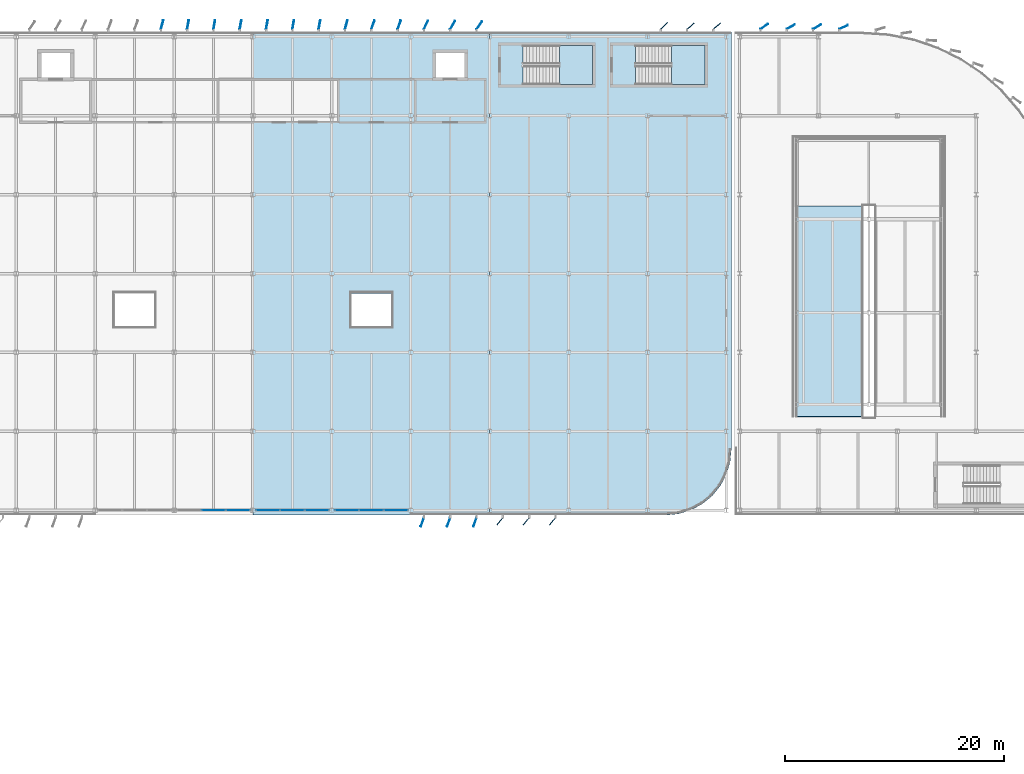
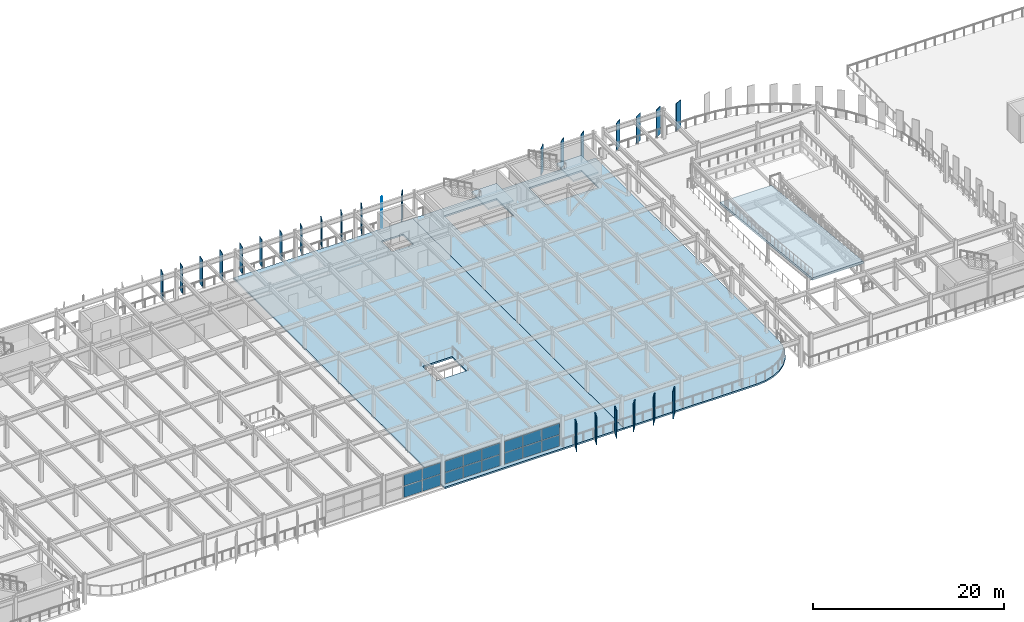
# One storey, part 29 of 52: 42 plates, 5 slabs, 5 elements without a shape of their own.
"""IFC4 building model written with IfcOpenShell, lengths in metres."""

from ifc_helpers import new_model, si_unit, direction, frame, origin, origin_2d, place, context, subcontext, project, spatial, polyline, rectangle, outline, extrude, material, layer, layer_set, type_object, element, aggregate, save


model = new_model("IFC4")

# Units and contexts
model_context = context("Model", 3, precision=1e-05, world=origin(), true_north=direction((0.0, 1.0)))
body_context = subcontext(model_context, "Body", "Model", "MODEL_VIEW")
ifc_project = project(units=[si_unit("LENGTHUNIT", "METRE"), si_unit("AREAUNIT", "SQUARE_METRE"), si_unit("VOLUMEUNIT", "CUBIC_METRE"), si_unit("PLANEANGLEUNIT", "RADIAN"), si_unit("MASSUNIT", "GRAM", prefix="KILO")], contexts=[model_context])

# Site, building, storey
site_placement = place(None, origin())
site = spatial("IfcSite", under=ifc_project, at=site_placement, CompositionType="ELEMENT")
building_placement = place(site_placement, origin())
building = spatial("IfcBuilding", under=site, at=building_placement, Name="Vaelcorin Mobility Hub", CompositionType="ELEMENT")
storey_placement = place(building_placement, frame((0.0, 0.0, 13.199951171875)))
storey = spatial("IfcBuildingStorey", under=building, at=storey_placement, Name="L03", CompositionType="ELEMENT", Elevation=13.199951171875)

# Curtain wall, plates
ifc_material_1 = material(Name="Anodised aluminium 6063-T6", Category="aluminium")
curtain_wall_type = type_object("IfcCurtainWallType", Name="CW-MOB-A", PredefinedType="NOTDEFINED", material=ifc_material_1)
curtain_wall_1_placement = place(storey_placement, origin())
curtain_wall_1 = element("IfcCurtainWall", 1, at=curtain_wall_1_placement, inside=storey, type_object=curtain_wall_type, Name="L03 Curtain Wall CW-V4-L03-S-06", PredefinedType="NOTDEFINED")
ifc_material_2 = material(Name="Low-E solar-control insulated glazing", Category="glass")
ifc_layer_1 = layer(ifc_material_2, 0.028076171875)
ifc_layer_set_1 = layer_set([ifc_layer_1], Name="Low-E solar-control insulated glazing")
plate_type_1 = type_object("IfcPlateType", Name="CW-PAN-GLZ28", PredefinedType="CURTAIN_PANEL", material=ifc_layer_set_1)
plate_1_placement = place(storey_placement, frame((77.83837890625, 76.800048828125, 0.06005859375), z_axis=(0.0, 0.0, 1.0), x_axis=(-1.0, 0.0, 0.0)))
plate_1 = element("IfcPlate", 2, at=plate_1_placement, type_object=plate_type_1, Name="CW7 panel 1.1", PredefinedType="CURTAIN_PANEL", context=body_context, shape_type="SweptSolid", body=[
    extrude(rectangle(XDim=2.163330078125, YDim=0.028076171875, at=origin_2d()), origin(), (0.0, 0.0, 1.0), 1.426025390625),
])
plate_2_placement = place(storey_placement, frame((77.83837890625, 76.800048828125, 1.5458984375), z_axis=(0.0, 0.0, 1.0), x_axis=(-1.0, 0.0, 0.0)))
plate_2 = element("IfcPlate", 3, at=plate_2_placement, type_object=plate_type_1, Name="CW7 panel 1.2", PredefinedType="CURTAIN_PANEL", context=body_context, shape_type="SweptSolid", body=[
    extrude(rectangle(XDim=2.163330078125, YDim=0.028076171875, at=origin_2d()), origin(), (0.0, 0.0, 1.0), 1.427001953125),
])
plate_3_placement = place(storey_placement, frame((75.60009765625, 76.800048828125, 0.06005859375), z_axis=(0.0, 0.0, 1.0), x_axis=(-1.0, 0.0, 0.0)))
plate_3 = element("IfcPlate", 4, at=plate_3_placement, type_object=plate_type_1, Name="CW7 panel 2.1", PredefinedType="CURTAIN_PANEL", context=body_context, shape_type="SweptSolid", body=[
    extrude(rectangle(XDim=2.193359375, YDim=0.028076171875, at=origin_2d()), origin(), (0.0, 0.0, 1.0), 1.426025390625),
])
plate_4_placement = place(storey_placement, frame((75.60009765625, 76.800048828125, 1.5458984375), z_axis=(0.0, 0.0, 1.0), x_axis=(-1.0, 0.0, 0.0)))
plate_4 = element("IfcPlate", 5, at=plate_4_placement, type_object=plate_type_1, Name="CW7 panel 2.2", PredefinedType="CURTAIN_PANEL", context=body_context, shape_type="SweptSolid", body=[
    extrude(rectangle(XDim=2.193359375, YDim=0.028076171875, at=origin_2d()), origin(), (0.0, 0.0, 1.0), 1.427001953125),
])
aggregate(curtain_wall_1, [plate_1, plate_2, plate_3, plate_4])

curtain_wall_2_placement = place(storey_placement, origin())
curtain_wall_2 = element("IfcCurtainWall", 6, at=curtain_wall_2_placement, inside=storey, type_object=curtain_wall_type, Name="L03 Curtain Wall CW-V4-L03-S-07", PredefinedType="NOTDEFINED")
plate_5_placement = place(storey_placement, frame((85.038330078125, 76.800048828125, 0.06005859375), z_axis=(0.0, 0.0, 1.0), x_axis=(-1.0, 0.0, 0.0)))
plate_5 = element("IfcPlate", 7, at=plate_5_placement, type_object=plate_type_1, Name="CW7 panel 1.1", PredefinedType="CURTAIN_PANEL", context=body_context, shape_type="SweptSolid", body=[
    extrude(rectangle(XDim=2.163330078125, YDim=0.028076171875, at=origin_2d()), origin(), (0.0, 0.0, 1.0), 1.426025390625),
])
plate_6_placement = place(storey_placement, frame((85.038330078125, 76.800048828125, 1.5458984375), z_axis=(0.0, 0.0, 1.0), x_axis=(-1.0, 0.0, 0.0)))
plate_6 = element("IfcPlate", 8, at=plate_6_placement, type_object=plate_type_1, Name="CW7 panel 1.2", PredefinedType="CURTAIN_PANEL", context=body_context, shape_type="SweptSolid", body=[
    extrude(rectangle(XDim=2.163330078125, YDim=0.028076171875, at=origin_2d()), origin(), (0.0, 0.0, 1.0), 1.427001953125),
])
plate_7_placement = place(storey_placement, frame((82.800048828125, 76.800048828125, 0.06005859375), z_axis=(0.0, 0.0, 1.0), x_axis=(-1.0, 0.0, 0.0)))
plate_7 = element("IfcPlate", 9, at=plate_7_placement, type_object=plate_type_1, Name="CW7 panel 2.1", PredefinedType="CURTAIN_PANEL", context=body_context, shape_type="SweptSolid", body=[
    extrude(rectangle(XDim=2.193359375, YDim=0.028076171875, at=origin_2d()), origin(), (0.0, 0.0, 1.0), 1.426025390625),
])
plate_8_placement = place(storey_placement, frame((82.800048828125, 76.800048828125, 1.5458984375), z_axis=(0.0, 0.0, 1.0), x_axis=(-1.0, 0.0, 0.0)))
plate_8 = element("IfcPlate", 10, at=plate_8_placement, type_object=plate_type_1, Name="CW7 panel 2.2", PredefinedType="CURTAIN_PANEL", context=body_context, shape_type="SweptSolid", body=[
    extrude(rectangle(XDim=2.193359375, YDim=0.028076171875, at=origin_2d()), origin(), (0.0, 0.0, 1.0), 1.427001953125),
])
plate_9_placement = place(storey_placement, frame((80.561767578125, 76.800048828125, 0.06005859375), z_axis=(0.0, 0.0, 1.0), x_axis=(-1.0, 0.0, 0.0)))
plate_9 = element("IfcPlate", 11, at=plate_9_placement, type_object=plate_type_1, Name="CW7 panel 3.1", PredefinedType="CURTAIN_PANEL", context=body_context, shape_type="SweptSolid", body=[
    extrude(rectangle(XDim=2.163330078125, YDim=0.028076171875, at=origin_2d()), origin(), (0.0, 0.0, 1.0), 1.426025390625),
])
plate_10_placement = place(storey_placement, frame((80.561767578125, 76.800048828125, 1.5458984375), z_axis=(0.0, 0.0, 1.0), x_axis=(-1.0, 0.0, 0.0)))
plate_10 = element("IfcPlate", 12, at=plate_10_placement, type_object=plate_type_1, Name="CW7 panel 3.2", PredefinedType="CURTAIN_PANEL", context=body_context, shape_type="SweptSolid", body=[
    extrude(rectangle(XDim=2.163330078125, YDim=0.028076171875, at=origin_2d()), origin(), (0.0, 0.0, 1.0), 1.427001953125),
])
aggregate(curtain_wall_2, [plate_5, plate_6, plate_7, plate_8, plate_9, plate_10])

curtain_wall_3_placement = place(storey_placement, origin())
curtain_wall_3 = element("IfcCurtainWall", 13, at=curtain_wall_3_placement, inside=storey, type_object=curtain_wall_type, Name="L03 Curtain Wall CW-V4-L03-S-08", PredefinedType="NOTDEFINED")
plate_11_placement = place(storey_placement, frame((92.23828125, 76.800048828125, 0.06005859375), z_axis=(0.0, 0.0, 1.0), x_axis=(-1.0, 0.0, 0.0)))
plate_11 = element("IfcPlate", 14, at=plate_11_placement, type_object=plate_type_1, Name="CW7 panel 1.1", PredefinedType="CURTAIN_PANEL", context=body_context, shape_type="SweptSolid", body=[
    extrude(rectangle(XDim=2.163330078125, YDim=0.028076171875, at=origin_2d()), origin(), (0.0, 0.0, 1.0), 1.426025390625),
])
plate_12_placement = place(storey_placement, frame((92.23828125, 76.800048828125, 1.5458984375), z_axis=(0.0, 0.0, 1.0), x_axis=(-1.0, 0.0, 0.0)))
plate_12 = element("IfcPlate", 15, at=plate_12_placement, type_object=plate_type_1, Name="CW7 panel 1.2", PredefinedType="CURTAIN_PANEL", context=body_context, shape_type="SweptSolid", body=[
    extrude(rectangle(XDim=2.163330078125, YDim=0.028076171875, at=origin_2d()), origin(), (0.0, 0.0, 1.0), 1.427001953125),
])
plate_13_placement = place(storey_placement, frame((90.0, 76.800048828125, 0.06005859375), z_axis=(0.0, 0.0, 1.0), x_axis=(-1.0, 0.0, 0.0)))
plate_13 = element("IfcPlate", 16, at=plate_13_placement, type_object=plate_type_1, Name="CW7 panel 2.1", PredefinedType="CURTAIN_PANEL", context=body_context, shape_type="SweptSolid", body=[
    extrude(rectangle(XDim=2.193359375, YDim=0.028076171875, at=origin_2d()), origin(), (0.0, 0.0, 1.0), 1.426025390625),
])
plate_14_placement = place(storey_placement, frame((90.0, 76.800048828125, 1.5458984375), z_axis=(0.0, 0.0, 1.0), x_axis=(-1.0, 0.0, 0.0)))
plate_14 = element("IfcPlate", 17, at=plate_14_placement, type_object=plate_type_1, Name="CW7 panel 2.2", PredefinedType="CURTAIN_PANEL", context=body_context, shape_type="SweptSolid", body=[
    extrude(rectangle(XDim=2.193359375, YDim=0.028076171875, at=origin_2d()), origin(), (0.0, 0.0, 1.0), 1.427001953125),
])
plate_15_placement = place(storey_placement, frame((87.76171875, 76.800048828125, 0.06005859375), z_axis=(0.0, 0.0, 1.0), x_axis=(-1.0, 0.0, 0.0)))
plate_15 = element("IfcPlate", 18, at=plate_15_placement, type_object=plate_type_1, Name="CW7 panel 3.1", PredefinedType="CURTAIN_PANEL", context=body_context, shape_type="SweptSolid", body=[
    extrude(rectangle(XDim=2.163330078125, YDim=0.028076171875, at=origin_2d()), origin(), (0.0, 0.0, 1.0), 1.426025390625),
])
plate_16_placement = place(storey_placement, frame((87.76171875, 76.800048828125, 1.5458984375), z_axis=(0.0, 0.0, 1.0), x_axis=(-1.0, 0.0, 0.0)))
plate_16 = element("IfcPlate", 19, at=plate_16_placement, type_object=plate_type_1, Name="CW7 panel 3.2", PredefinedType="CURTAIN_PANEL", context=body_context, shape_type="SweptSolid", body=[
    extrude(rectangle(XDim=2.163330078125, YDim=0.028076171875, at=origin_2d()), origin(), (0.0, 0.0, 1.0), 1.427001953125),
])
aggregate(curtain_wall_3, [plate_11, plate_12, plate_13, plate_14, plate_15, plate_16])

# Plates
ifc_material_3 = material(Name="Perforated terracotta-bronze aluminium aerofoil", Category="masonry")
ifc_layer_2 = layer(ifc_material_3, 0.06005859375)
ifc_layer_set_2 = layer_set([ifc_layer_2], Name="Perforated terracotta-bronze aluminium aerofoil")
plate_type_2 = type_object("IfcPlateType", Name="PL-FIN-AF1", PredefinedType="SHEET", material=ifc_layer_set_2)
for number, where, z_axis, x_axis, name in (
    (20, (99.455078125, 75.7109375, -0.159912109375), (0.0, 0.0, 1.0), (-0.342020143326, -0.939692620786, 0.0), "Rotating Terracotta-Bronze Aerofoil Fin FIN-V4-L03-S-09-AF-01"),
    (21, (97.054931640625, 75.7109375, -0.159912109375), (0.0, 0.0, 1.0), (-0.342020143326, -0.939692620786, 0.0), "Rotating Terracotta-Bronze Aerofoil Fin FIN-V4-L03-S-09-AF-02"),
    (22, (94.655029296875, 75.7109375, -0.159912109375), (0.0, 0.0, 1.0), (-0.342020143326, -0.939692620786, 0.0), "Rotating Terracotta-Bronze Aerofoil Fin FIN-V4-L03-S-09-AF-03"),
    (23, (106.527099609375, 75.783935546875, -0.159912109375), (0.0, 0.0, 1.0), (-0.642787609687, -0.766044443119, 0.0), "Rotating Terracotta-Bronze Aerofoil Fin FIN-V4-L03-S-10-AF-01"),
    (24, (104.126953125, 75.783935546875, -0.159912109375), (0.0, 0.0, 1.0), (-0.642787609687, -0.766044443119, 0.0), "Rotating Terracotta-Bronze Aerofoil Fin FIN-V4-L03-S-10-AF-02"),
    (25, (101.72705078125, 75.783935546875, -0.159912109375), (0.0, 0.0, 1.0), (-0.642787609687, -0.766044443119, 0.0), "Rotating Terracotta-Bronze Aerofoil Fin FIN-V4-L03-S-10-AF-03"),
):
    element("IfcPlate", number, at=place(storey_placement, frame(where, z_axis=z_axis, x_axis=x_axis)), inside=storey, type_object=plate_type_2, Name=name, PredefinedType="SHEET", context=body_context, shape_type="SweptSolid", body=[
        extrude(rectangle(XDim=0.85009765625, YDim=0.06005859375, at=origin_2d()), origin(), (0.0, 0.0, 1.0), 3.5),
    ])
ifc_layer_3 = layer(ifc_material_3, 0.06494140625)
ifc_layer_set_3 = layer_set([ifc_layer_3], Name="Perforated terracotta-bronze aluminium aerofoil")
plate_type_3 = type_object("IfcPlateType", Name="PL-FIN-AF2", PredefinedType="SHEET", material=ifc_layer_set_3)
for number, where, z_axis, x_axis, name in (
    (26, (70.909912109375, 121.10107421875, -0.159912109375), (0.0, 0.0, 1.0), (0.258819045103, 0.965925826289, 0.0), "Rotating Terracotta-Bronze Aerofoil Fin FIN-V4-L03-N-05-AF-03"),
    (27, (73.27392578125, 121.10888671875, -0.159912109375), (0.0, 0.0, 1.0), (0.173648177667, 0.984807753012, 0.0), "Rotating Terracotta-Bronze Aerofoil Fin FIN-V4-L03-N-06-AF-01"),
    (28, (75.674072265625, 121.10888671875, -0.159912109375), (0.0, 0.0, 1.0), (0.173648177667, 0.984807753012, 0.0), "Rotating Terracotta-Bronze Aerofoil Fin FIN-V4-L03-N-06-AF-02"),
    (29, (78.073974609375, 121.10888671875, -0.159912109375), (0.0, 0.0, 1.0), (0.173648177667, 0.984807753012, 0.0), "Rotating Terracotta-Bronze Aerofoil Fin FIN-V4-L03-N-06-AF-03"),
    (30, (80.47412109375, 121.10888671875, -0.159912109375), (0.0, 0.0, 1.0), (0.173648177667, 0.984807753012, 0.0), "Rotating Terracotta-Bronze Aerofoil Fin FIN-V4-L03-N-07-AF-01"),
    (31, (82.8740234375, 121.10888671875, -0.159912109375), (0.0, 0.0, 1.0), (0.173648177667, 0.984807753012, 0.0), "Rotating Terracotta-Bronze Aerofoil Fin FIN-V4-L03-N-07-AF-02"),
    (32, (85.27392578125, 121.10888671875, -0.159912109375), (0.0, 0.0, 1.0), (0.173648177667, 0.984807753012, 0.0), "Rotating Terracotta-Bronze Aerofoil Fin FIN-V4-L03-N-07-AF-03"),
    (33, (87.7099609375, 121.10107421875, -0.159912109375), (0.0, 0.0, 1.0), (0.258819045103, 0.965925826289, 0.0), "Rotating Terracotta-Bronze Aerofoil Fin FIN-V4-L03-N-08-AF-01"),
    (34, (90.14501953125, 121.089111328125, -0.159912109375), (0.0, 0.0, 1.0), (0.342020143326, 0.939692620786, 0.0), "Rotating Terracotta-Bronze Aerofoil Fin FIN-V4-L03-N-08-AF-02"),
    (35, (92.544921875, 121.089111328125, -0.159912109375), (0.0, 0.0, 1.0), (0.342020143326, 0.939692620786, 0.0), "Rotating Terracotta-Bronze Aerofoil Fin FIN-V4-L03-N-08-AF-03"),
    (36, (94.97998046875, 121.074951171875, -0.159912109375), (0.0, 0.0, 1.0), (0.422618261741, 0.906307787037, 0.0), "Rotating Terracotta-Bronze Aerofoil Fin FIN-V4-L03-N-09-AF-01"),
    (37, (97.412109375, 121.05810546875, -0.159912109375), (0.0, 0.0, 1.0), (0.5, 0.866025403784, 0.0), "Rotating Terracotta-Bronze Aerofoil Fin FIN-V4-L03-N-09-AF-02"),
    (38, (99.843994140625, 121.0380859375, -0.159912109375), (0.0, 0.0, 1.0), (0.573576436351, 0.819152044289, 0.0), "Rotating Terracotta-Bronze Aerofoil Fin FIN-V4-L03-N-09-AF-03"),
    (39, (116.700927734375, 120.990966796875, -0.159912109375), (0.0, 0.0, 1.0), (0.707106781187, 0.707106781187, 0.0), "Rotating Terracotta-Bronze Aerofoil Fin FIN-V4-L03-N-12-AF-01"),
    (40, (119.1259765625, 120.962890625, -0.159912109375), (0.0, 0.0, 1.0), (0.766044443119, 0.642787609687, 0.0), "Rotating Terracotta-Bronze Aerofoil Fin FIN-V4-L03-N-12-AF-02"),
    (41, (121.52587890625, 120.962890625, -0.159912109375), (0.0, 0.0, 1.0), (0.766044443119, 0.642787609687, 0.0), "Rotating Terracotta-Bronze Aerofoil Fin FIN-V4-L03-N-12-AF-03"),
):
    element("IfcPlate", number, at=place(storey_placement, frame(where, z_axis=z_axis, x_axis=x_axis)), inside=storey, type_object=plate_type_3, Name=name, PredefinedType="SHEET", context=body_context, shape_type="SweptSolid", body=[
        extrude(rectangle(XDim=0.85009765625, YDim=0.06494140625, at=origin_2d()), origin(), (0.0, 0.0, 1.0), 3.5),
    ])
ifc_layer_4 = layer(ifc_material_3, 0.070068359375)
ifc_layer_set_4 = layer_set([ifc_layer_4], Name="Perforated terracotta-bronze aluminium aerofoil")
plate_type_4 = type_object("IfcPlateType", Name="PL-FIN-AF3", PredefinedType="SHEET", material=ifc_layer_set_4)
for number, where, z_axis, x_axis, name in (
    (42, (125.847900390625, 120.93408203125, -0.159912109375), (0.0, 0.0, 1.0), (0.819152044289, 0.573576436351, 0.0), "Rotating Terracotta-Bronze Aerofoil Fin FIN-V2E-L03-N-AF-01"),
    (43, (128.26806640625, 120.902099609375, -0.159912109375), (0.0, 0.0, 1.0), (0.866025403784, 0.5, 0.0), "Rotating Terracotta-Bronze Aerofoil Fin FIN-V2E-L03-N-AF-02"),
    (44, (130.66796875, 120.902099609375, -0.159912109375), (0.0, 0.0, 1.0), (0.866025403784, 0.5, 0.0), "Rotating Terracotta-Bronze Aerofoil Fin FIN-V2E-L03-N-AF-03"),
    (45, (133.0849609375, 120.8701171875, -0.159912109375), (0.0, 0.0, 1.0), (0.906307787037, 0.422618261741, 0.0), "Rotating Terracotta-Bronze Aerofoil Fin FIN-V2E-L03-N-AF-04"),
):
    element("IfcPlate", number, at=place(storey_placement, frame(where, z_axis=z_axis, x_axis=x_axis)), inside=storey, type_object=plate_type_4, Name=name, PredefinedType="SHEET", context=body_context, shape_type="SweptSolid", body=[
        extrude(rectangle(XDim=0.85009765625, YDim=0.070068359375, at=origin_2d()), origin(), (0.0, 0.0, 1.0), 3.5),
    ])

# Stair, slab
ifc_material_4 = material(Name="Reinforced concrete f'c 45 MPa", Category="concrete")
stair_type_1 = type_object("IfcStairType", Name="STAIR-ST4", PredefinedType="HALF_TURN_STAIR", material=ifc_material_4)
stair_1_placement = place(storey_placement, origin())
stair_1 = element("IfcStair", 46, at=stair_1_placement, inside=storey, type_object=stair_type_1, Name="L03 Protected Exit Stair ST4", PredefinedType="HALF_TURN_STAIR")
ifc_layer_5 = layer(ifc_material_4, 0.199951171875)
ifc_layer_set_5 = layer_set([ifc_layer_5], Name="Reinforced concrete f'c 45 MPa")
slab_type_1 = type_object("IfcSlabType", Name="SLAB-LND-200", PredefinedType="LANDING", material=ifc_layer_set_5)
slab_1_placement = place(storey_placement, frame((0.0, 0.0, 1.75)))
slab_1 = element("IfcSlab", 47, at=slab_1_placement, type_object=slab_type_1, Name="ST4 landing 1", PredefinedType="LANDING", context=body_context, shape_type="SweptSolid", body=[
    extrude(outline(polyline([(107.14990234375, 115.64990234375), (110.199951171875, 115.64990234375), (110.199951171875, 119.2099609375), (107.14990234375, 119.2099609375), (107.14990234375, 115.64990234375)])), origin(), (0.0, 0.0, 1.0), 0.199951171875),
])
aggregate(stair_1, [slab_1])

stair_type_2 = type_object("IfcStairType", Name="STAIR-ST9", PredefinedType="HALF_TURN_STAIR", material=ifc_material_4)
stair_2_placement = place(storey_placement, origin())
stair_2 = element("IfcStair", 48, at=stair_2_placement, inside=storey, type_object=stair_type_2, Name="L03 Protected Exit Stair ST9", PredefinedType="HALF_TURN_STAIR")
slab_2_placement = place(storey_placement, frame((0.0, 0.0, 1.75)))
slab_2 = element("IfcSlab", 49, at=slab_2_placement, type_object=slab_type_1, Name="ST9 landing 1", PredefinedType="LANDING", context=body_context, shape_type="SweptSolid", body=[
    extrude(outline(polyline([(117.39990234375, 115.64990234375), (120.449951171875, 115.64990234375), (120.449951171875, 119.2099609375), (117.39990234375, 119.2099609375), (117.39990234375, 115.64990234375)])), origin(), (0.0, 0.0, 1.0), 0.199951171875),
])
aggregate(stair_2, [slab_2])

# Slabs
ifc_material_5 = material(Name="Concrete f'c 35 MPa", Category="concrete")
ifc_layer_6 = layer(ifc_material_5, 0.2099609375)
ifc_layer_set_6 = layer_set([ifc_layer_6], Name="Concrete f'c 35 MPa")
slab_type_2 = type_object("IfcSlabType", Name="SLAB-PK4", PredefinedType="FLOOR", material=ifc_layer_set_6)
slab_3_placement = place(storey_placement, frame((0.0, 0.0, -0.2099609375)))
element("IfcSlab", 50, at=slab_3_placement, inside=storey, type_object=slab_type_2, Name="L03 EV Mobility Deck SL-V4-L03-Q3", PredefinedType="FLOOR", context=body_context, shape_type="SweptSolid", body=[
    extrude(outline(polyline([(79.199951171875, 120.449951171875), (100.800048828125, 120.449951171875), (100.800048828125, 76.35009765625), (79.199951171875, 76.35009765625), (79.199951171875, 120.449951171875)]), holes=[polyline([(91.800048828125, 96.60009765625), (88.199951171875, 96.60009765625), (88.199951171875, 93.60009765625), (91.800048828125, 93.60009765625), (91.800048828125, 96.60009765625)]), polyline([(98.5, 118.5), (95.89990234375, 118.5), (95.89990234375, 116.300048828125), (98.5, 116.300048828125), (98.5, 118.5)])]), origin(), (0.0, 0.0, 1.0), 0.2099609375),
])
slab_4_placement = place(storey_placement, frame((0.0, 0.0, -0.2099609375)))
element("IfcSlab", 51, at=slab_4_placement, inside=storey, type_object=slab_type_2, Name="L03 EV Mobility Deck SL-V4-L03-Q4", PredefinedType="FLOOR", context=body_context, shape_type="SweptSolid", body=[
    extrude(outline(polyline([(122.39306640625, 80.053955078125), (121.839111328125, 79.01708984375), (121.093017578125, 78.10693359375), (120.18310546875, 77.361083984375), (119.14599609375, 76.806884765625), (118.02099609375, 76.465087890625), (116.85009765625, 76.35009765625), (100.800048828125, 76.35009765625), (100.800048828125, 120.449951171875), (122.85009765625, 120.449951171875), (122.85009765625, 82.35009765625), (122.735107421875, 81.178955078125), (122.39306640625, 80.053955078125)]), holes=[polyline([(110.199951171875, 119.2099609375), (103.85498046875, 119.2099609375), (103.85498046875, 115.64990234375), (110.199951171875, 115.64990234375), (110.199951171875, 119.2099609375)]), polyline([(120.449951171875, 119.2099609375), (114.10498046875, 119.2099609375), (114.10498046875, 115.64990234375), (120.449951171875, 115.64990234375), (120.449951171875, 119.2099609375)])]), origin(), (0.0, 0.0, 1.0), 0.2099609375),
])
ifc_layer_7 = layer(ifc_material_5, 0.280029296875)
ifc_layer_set_7 = layer_set([ifc_layer_7], Name="Concrete f'c 35 MPa")
slab_type_3 = type_object("IfcSlabType", Name="SLAB-RMP-VR2", PredefinedType="FLOOR", material=ifc_layer_set_7)
slab_5_placement = place(storey_placement, frame((128.699951171875, 85.360107421875, 3.900146484375), z_axis=(0.0, 0.101157381421, 0.994870435878), x_axis=(1.0, 0.0, 0.0)))
element("IfcSlab", 52, at=slab_5_placement, inside=storey, type_object=slab_type_3, Name="Vehicle Ramp VR-2 Slab L03 Flight 2", PredefinedType="FLOOR", context=body_context, shape_type="SweptSolid", body=[
    extrude(outline(polyline([(0.0, 0.0), (6.199951171875, 0.0), (6.199951171875, 19.278823602490505), (0.0, 19.278823602490505), (0.0, 0.0)])), origin(), (0.0, 0.0, -1.0), 0.280029296875),
])

save(model, "model.ifc")
